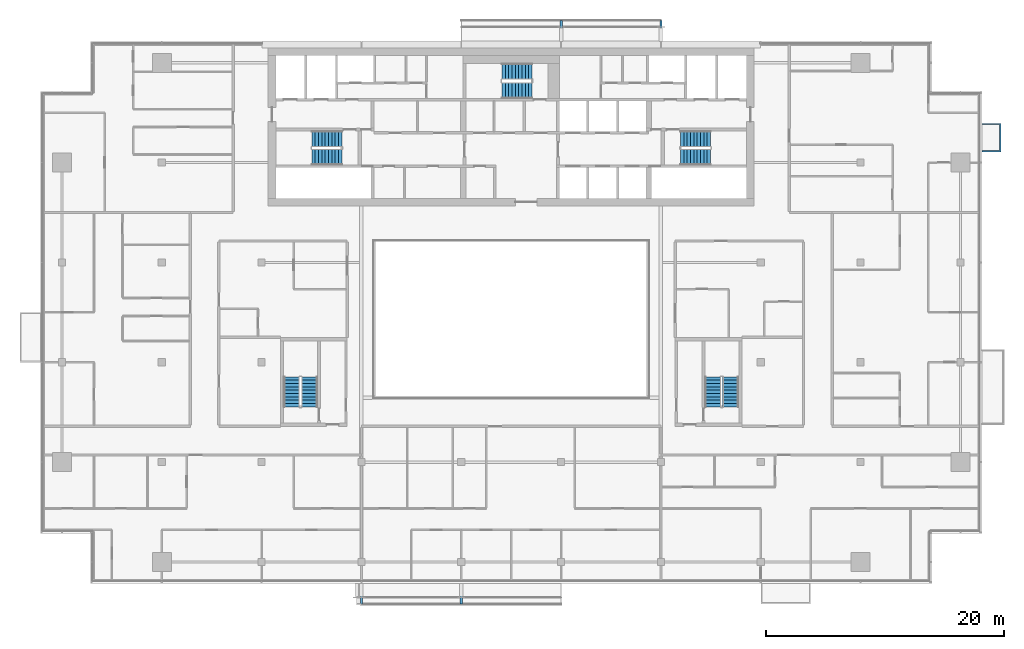
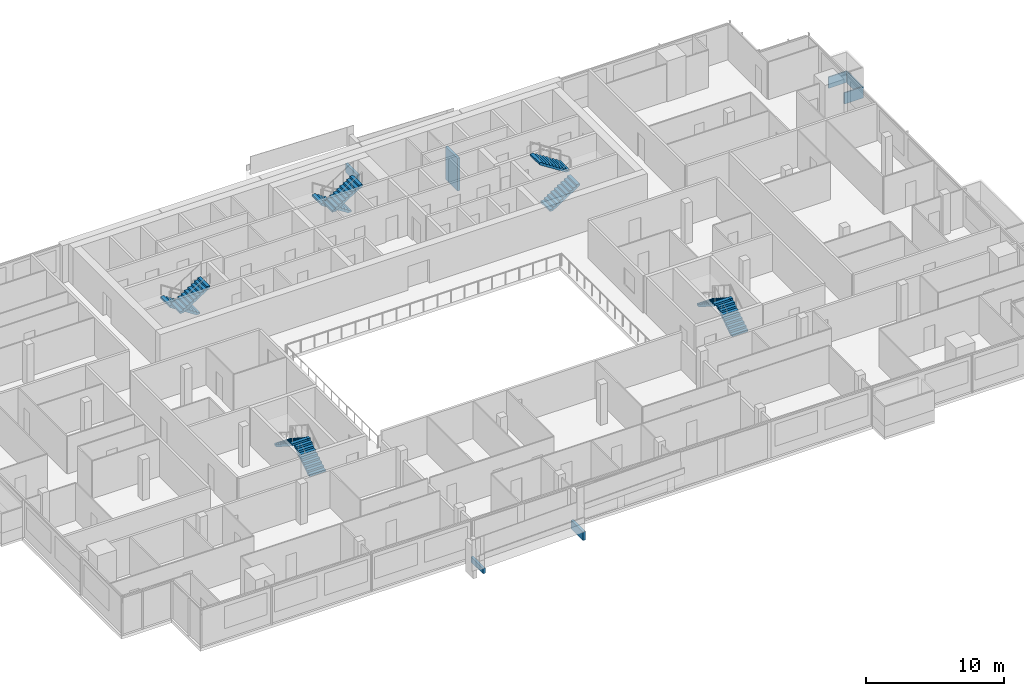
# One storey, part 24 of 26: 10 stair flights, 4 discrete accessories, 1 wall, 5 elements without a shape of their own.
"""IFC4 building model written with IfcOpenShell, lengths in metres."""

from ifc_helpers import new_model, si_unit, direction, frame, origin, origin_2d, place, context, subcontext, project, spatial, polyline, rectangle, outline, extrude, material, layer, layer_set, type_object, element, aggregate, save


model = new_model("IFC4")

# Units and contexts
model_context = context("Model", 3, precision=1e-05, world=origin(), true_north=direction((0.0, 1.0)))
body_context = subcontext(model_context, "Body", "Model", "MODEL_VIEW")
ifc_project = project(units=[si_unit("LENGTHUNIT", "METRE"), si_unit("AREAUNIT", "SQUARE_METRE"), si_unit("VOLUMEUNIT", "CUBIC_METRE"), si_unit("PLANEANGLEUNIT", "RADIAN"), si_unit("MASSUNIT", "GRAM", prefix="KILO")], contexts=[model_context])

# Site, building, storey
site_placement = place(None, origin())
site = spatial("IfcSite", under=ifc_project, at=site_placement, CompositionType="ELEMENT")
building_placement = place(site_placement, origin())
building = spatial("IfcBuilding", under=site, at=building_placement, Name="Saffron Gate Tower", CompositionType="ELEMENT")
storey_placement = place(building_placement, frame((0.0, 0.0, 230.699951171875)))
storey = spatial("IfcBuildingStorey", under=building, at=storey_placement, Name="L56", CompositionType="ELEMENT", Elevation=230.699951171875)

# Wall
ifc_material_1 = material(Name="Rendered insulated panel, white")
ifc_layer = layer(ifc_material_1, 0.10009765625)
ifc_layer_set = layer_set([ifc_layer], Name="WB3 box parapet white")
wall_type = type_object("IfcWallType", Name="WB3 box parapet white", PredefinedType="SOLIDWALL", material=ifc_layer_set)
wall_placement = place(storey_placement, origin())
element("IfcWall", 1, at=wall_placement, inside=storey, type_object=wall_type, Name="WINDOW BOX parapet", PredefinedType="SOLIDWALL", context=body_context, shape_type="SweptSolid", body=[
    extrude(outline(polyline([(127.199951171875, 66.300048828125), (127.199951171875, 66.39990234375), (128.699951171875, 66.39990234375), (128.699951171875, 68.60009765625), (127.199951171875, 68.60009765625), (127.199951171875, 68.699951171875), (128.800048828125, 68.699951171875), (128.800048828125, 66.300048828125), (127.199951171875, 66.300048828125)])), origin(), (0.0, 0.0, 1.0), 1.0),
])

# Stair, stair flights
ifc_material_2 = material(Name="Concrete C40", Category="concrete")
stair_type = type_object("IfcStairType", Name="ST7 Stair 1350 wide, 20 risers of 180", PredefinedType="HALF_TURN_STAIR", material=ifc_material_2)
stair_1_placement = place(storey_placement, origin())
stair_1 = element("IfcStair", 2, at=stair_1_placement, inside=storey, type_object=stair_type, Name="L56 Exit stair A", PredefinedType="HALF_TURN_STAIR")
stair_flight_type = type_object("IfcStairFlightType", Name="SF3 Stair flight 1350 wide, riser 180 going 280", PredefinedType="STRAIGHT", material=ifc_material_2)
stair_flight_1_placement = place(storey_placement, frame((73.35009765625, 67.375, 0.0), z_axis=(0.0, 0.0, 1.0), x_axis=(-1.0, 0.0, 0.0)))
stair_flight_1 = element("IfcStairFlight", 3, at=stair_flight_1_placement, type_object=stair_flight_type, Name="ST-A flight 1", NumberOfRisers=10, NumberOfTreads=9, PredefinedType="STRAIGHT", RiserHeight=0.18, TreadLength=0.28, context=body_context, shape_type="SweptSolid", body=[
    extrude(outline(polyline([(0.0, 0.0), (0.0, 0.179931640625), (0.280029296875, 0.179931640625), (0.280029296875, 0.360107421875), (0.56005859375, 0.360107421875), (0.56005859375, 0.5400390625), (0.840087890625, 0.5400390625), (0.840087890625, 0.719970703125), (1.1201171875, 0.719970703125), (1.1201171875, 0.89990234375), (1.39990234375, 0.89990234375), (1.39990234375, 1.080078125), (1.679931640625, 1.080078125), (1.679931640625, 1.260009765625), (1.9599609375, 1.260009765625), (1.9599609375, 1.43994140625), (2.239990234375, 1.43994140625), (2.239990234375, 1.6201171875), (2.52001953125, 1.6201171875), (2.52001953125, 1.800048828125), (2.52001953125, 1.44189453125), (0.277099609375, 0.0), (0.0, 0.0)])), frame((0.0, 0.675048828125, 0.0), z_axis=(0.0, -1.0, 0.0), x_axis=(1.0, 0.0, 0.0)), (0.0, 0.0, 1.0), 1.35009765625),
])
stair_flight_2_placement = place(storey_placement, frame((70.830078125, 65.875, 1.800048828125), z_axis=(0.0, 0.0, 1.0), x_axis=(1.0, 0.0, 0.0)))
stair_flight_2 = element("IfcStairFlight", 4, at=stair_flight_2_placement, type_object=stair_flight_type, Name="ST-A flight 2", NumberOfRisers=10, NumberOfTreads=9, PredefinedType="STRAIGHT", RiserHeight=0.18, TreadLength=0.28, context=body_context, shape_type="SweptSolid", body=[
    extrude(outline(polyline([(0.0, 0.0), (0.0, 0.179931640625), (0.280029296875, 0.179931640625), (0.280029296875, 0.360107421875), (0.56005859375, 0.360107421875), (0.56005859375, 0.5400390625), (0.840087890625, 0.5400390625), (0.840087890625, 0.719970703125), (1.1201171875, 0.719970703125), (1.1201171875, 0.89990234375), (1.39990234375, 0.89990234375), (1.39990234375, 1.080078125), (1.679931640625, 1.080078125), (1.679931640625, 1.260009765625), (1.9599609375, 1.260009765625), (1.9599609375, 1.43994140625), (2.239990234375, 1.43994140625), (2.239990234375, 1.6201171875), (2.52001953125, 1.6201171875), (2.52001953125, 1.800048828125), (2.52001953125, 1.44189453125), (0.277099609375, 0.0), (0.0, 0.0)])), frame((0.0, 0.675048828125, 0.0), z_axis=(0.0, -1.0, 0.0), x_axis=(1.0, 0.0, 0.0)), (0.0, 0.0, 1.0), 1.35009765625),
])
aggregate(stair_1, [stair_flight_1, stair_flight_2])

stair_2_placement = place(storey_placement, origin())
stair_2 = element("IfcStair", 5, at=stair_2_placement, inside=storey, type_object=stair_type, Name="L56 Exit stair B", PredefinedType="HALF_TURN_STAIR")
stair_flight_3_placement = place(storey_placement, frame((101.85009765625, 65.875, 0.0), z_axis=(0.0, 0.0, 1.0), x_axis=(1.0, 0.0, 0.0)))
stair_flight_3 = element("IfcStairFlight", 6, at=stair_flight_3_placement, type_object=stair_flight_type, Name="ST-B flight 1", NumberOfRisers=10, NumberOfTreads=9, PredefinedType="STRAIGHT", RiserHeight=0.18, TreadLength=0.28, context=body_context, shape_type="SweptSolid", body=[
    extrude(outline(polyline([(0.0, 0.0), (0.0, 0.179931640625), (0.280029296875, 0.179931640625), (0.280029296875, 0.360107421875), (0.56005859375, 0.360107421875), (0.56005859375, 0.5400390625), (0.840087890625, 0.5400390625), (0.840087890625, 0.719970703125), (1.1201171875, 0.719970703125), (1.1201171875, 0.89990234375), (1.39990234375, 0.89990234375), (1.39990234375, 1.080078125), (1.679931640625, 1.080078125), (1.679931640625, 1.260009765625), (1.9599609375, 1.260009765625), (1.9599609375, 1.43994140625), (2.239990234375, 1.43994140625), (2.239990234375, 1.6201171875), (2.52001953125, 1.6201171875), (2.52001953125, 1.800048828125), (2.52001953125, 1.44189453125), (0.277099609375, 0.0), (0.0, 0.0)])), frame((0.0, 0.675048828125, 0.0), z_axis=(0.0, -1.0, 0.0), x_axis=(1.0, 0.0, 0.0)), (0.0, 0.0, 1.0), 1.35009765625),
])
stair_flight_4_placement = place(storey_placement, frame((104.3701171875, 67.375, 1.800048828125), z_axis=(0.0, 0.0, 1.0), x_axis=(-1.0, 0.0, 0.0)))
stair_flight_4 = element("IfcStairFlight", 7, at=stair_flight_4_placement, type_object=stair_flight_type, Name="ST-B flight 2", NumberOfRisers=10, NumberOfTreads=9, PredefinedType="STRAIGHT", RiserHeight=0.18, TreadLength=0.28, context=body_context, shape_type="SweptSolid", body=[
    extrude(outline(polyline([(0.0, 0.0), (0.0, 0.179931640625), (0.280029296875, 0.179931640625), (0.280029296875, 0.360107421875), (0.56005859375, 0.360107421875), (0.56005859375, 0.5400390625), (0.840087890625, 0.5400390625), (0.840087890625, 0.719970703125), (1.1201171875, 0.719970703125), (1.1201171875, 0.89990234375), (1.39990234375, 0.89990234375), (1.39990234375, 1.080078125), (1.679931640625, 1.080078125), (1.679931640625, 1.260009765625), (1.9599609375, 1.260009765625), (1.9599609375, 1.43994140625), (2.239990234375, 1.43994140625), (2.239990234375, 1.6201171875), (2.52001953125, 1.6201171875), (2.52001953125, 1.800048828125), (2.52001953125, 1.44189453125), (0.277099609375, 0.0), (0.0, 0.0)])), frame((0.0, 0.675048828125, 0.0), z_axis=(0.0, -1.0, 0.0), x_axis=(1.0, 0.0, 0.0)), (0.0, 0.0, 1.0), 1.35009765625),
])
aggregate(stair_2, [stair_flight_3, stair_flight_4])

stair_3_placement = place(storey_placement, origin())
stair_3 = element("IfcStair", 8, at=stair_3_placement, inside=storey, type_object=stair_type, Name="L56 Exit stair C", PredefinedType="HALF_TURN_STAIR")
stair_flight_5_placement = place(storey_placement, frame((89.35009765625, 73.074951171875, 0.0), z_axis=(0.0, 0.0, 1.0), x_axis=(-1.0, 0.0, 0.0)))
stair_flight_5 = element("IfcStairFlight", 9, at=stair_flight_5_placement, type_object=stair_flight_type, Name="ST-C flight 1", NumberOfRisers=10, NumberOfTreads=9, PredefinedType="STRAIGHT", RiserHeight=0.18, TreadLength=0.28, context=body_context, shape_type="SweptSolid", body=[
    extrude(outline(polyline([(0.0, 0.0), (0.0, 0.179931640625), (0.280029296875, 0.179931640625), (0.280029296875, 0.360107421875), (0.56005859375, 0.360107421875), (0.56005859375, 0.5400390625), (0.840087890625, 0.5400390625), (0.840087890625, 0.719970703125), (1.1201171875, 0.719970703125), (1.1201171875, 0.89990234375), (1.39990234375, 0.89990234375), (1.39990234375, 1.080078125), (1.679931640625, 1.080078125), (1.679931640625, 1.260009765625), (1.9599609375, 1.260009765625), (1.9599609375, 1.43994140625), (2.239990234375, 1.43994140625), (2.239990234375, 1.6201171875), (2.52001953125, 1.6201171875), (2.52001953125, 1.800048828125), (2.52001953125, 1.44189453125), (0.277099609375, 0.0), (0.0, 0.0)])), frame((0.0, 0.675048828125, 0.0), z_axis=(0.0, -1.0, 0.0), x_axis=(1.0, 0.0, 0.0)), (0.0, 0.0, 1.0), 1.35009765625),
])
stair_flight_6_placement = place(storey_placement, frame((86.830078125, 71.47509765625, 1.800048828125), z_axis=(0.0, 0.0, 1.0), x_axis=(1.0, 0.0, 0.0)))
stair_flight_6 = element("IfcStairFlight", 10, at=stair_flight_6_placement, type_object=stair_flight_type, Name="ST-C flight 2", NumberOfRisers=10, NumberOfTreads=9, PredefinedType="STRAIGHT", RiserHeight=0.18, TreadLength=0.28, context=body_context, shape_type="SweptSolid", body=[
    extrude(outline(polyline([(0.0, 0.0), (0.0, 0.179931640625), (0.280029296875, 0.179931640625), (0.280029296875, 0.360107421875), (0.56005859375, 0.360107421875), (0.56005859375, 0.5400390625), (0.840087890625, 0.5400390625), (0.840087890625, 0.719970703125), (1.1201171875, 0.719970703125), (1.1201171875, 0.89990234375), (1.39990234375, 0.89990234375), (1.39990234375, 1.080078125), (1.679931640625, 1.080078125), (1.679931640625, 1.260009765625), (1.9599609375, 1.260009765625), (1.9599609375, 1.43994140625), (2.239990234375, 1.43994140625), (2.239990234375, 1.6201171875), (2.52001953125, 1.6201171875), (2.52001953125, 1.800048828125), (2.52001953125, 1.44189453125), (0.277099609375, 0.0), (0.0, 0.0)])), frame((0.0, 0.675048828125, 0.0), z_axis=(0.0, -1.0, 0.0), x_axis=(1.0, 0.0, 0.0)), (0.0, 0.0, 1.0), 1.35009765625),
])
aggregate(stair_3, [stair_flight_5, stair_flight_6])

stair_4_placement = place(storey_placement, origin())
stair_4 = element("IfcStair", 11, at=stair_4_placement, inside=storey, type_object=stair_type, Name="L56 Exit stair D", PredefinedType="HALF_TURN_STAIR")
stair_flight_7_placement = place(storey_placement, frame((70.625, 44.85009765625, 0.0), z_axis=(0.0, 0.0, 1.0), x_axis=(0.0, 1.0, 0.0)))
stair_flight_7 = element("IfcStairFlight", 12, at=stair_flight_7_placement, type_object=stair_flight_type, Name="ST-D flight 1", NumberOfRisers=10, NumberOfTreads=9, PredefinedType="STRAIGHT", RiserHeight=0.18, TreadLength=0.28, context=body_context, shape_type="SweptSolid", body=[
    extrude(outline(polyline([(0.0, 0.0), (0.0, 0.179931640625), (0.280029296875, 0.179931640625), (0.280029296875, 0.360107421875), (0.56005859375, 0.360107421875), (0.56005859375, 0.5400390625), (0.840087890625, 0.5400390625), (0.840087890625, 0.719970703125), (1.1201171875, 0.719970703125), (1.1201171875, 0.89990234375), (1.39990234375, 0.89990234375), (1.39990234375, 1.080078125), (1.679931640625, 1.080078125), (1.679931640625, 1.260009765625), (1.9599609375, 1.260009765625), (1.9599609375, 1.43994140625), (2.239990234375, 1.43994140625), (2.239990234375, 1.6201171875), (2.52001953125, 1.6201171875), (2.52001953125, 1.800048828125), (2.52001953125, 1.44189453125), (0.277099609375, 0.0), (0.0, 0.0)])), frame((0.0, 0.675048828125, 0.0), z_axis=(0.0, -1.0, 0.0), x_axis=(1.0, 0.0, 0.0)), (0.0, 0.0, 1.0), 1.35009765625),
])
stair_flight_8_placement = place(storey_placement, frame((69.125, 47.3701171875, 1.800048828125), z_axis=(0.0, 0.0, 1.0), x_axis=(0.0, -1.0, 0.0)))
stair_flight_8 = element("IfcStairFlight", 13, at=stair_flight_8_placement, type_object=stair_flight_type, Name="ST-D flight 2", NumberOfRisers=10, NumberOfTreads=9, PredefinedType="STRAIGHT", RiserHeight=0.18, TreadLength=0.28, context=body_context, shape_type="SweptSolid", body=[
    extrude(outline(polyline([(0.0, 0.0), (0.0, 0.179931640625), (0.280029296875, 0.179931640625), (0.280029296875, 0.360107421875), (0.56005859375, 0.360107421875), (0.56005859375, 0.5400390625), (0.840087890625, 0.5400390625), (0.840087890625, 0.719970703125), (1.1201171875, 0.719970703125), (1.1201171875, 0.89990234375), (1.39990234375, 0.89990234375), (1.39990234375, 1.080078125), (1.679931640625, 1.080078125), (1.679931640625, 1.260009765625), (1.9599609375, 1.260009765625), (1.9599609375, 1.43994140625), (2.239990234375, 1.43994140625), (2.239990234375, 1.6201171875), (2.52001953125, 1.6201171875), (2.52001953125, 1.800048828125), (2.52001953125, 1.44189453125), (0.277099609375, 0.0), (0.0, 0.0)])), frame((0.0, 0.675048828125, 0.0), z_axis=(0.0, -1.0, 0.0), x_axis=(1.0, 0.0, 0.0)), (0.0, 0.0, 1.0), 1.35009765625),
])
aggregate(stair_4, [stair_flight_7, stair_flight_8])

stair_5_placement = place(storey_placement, origin())
stair_5 = element("IfcStair", 14, at=stair_5_placement, inside=storey, type_object=stair_type, Name="L56 Exit stair E", PredefinedType="HALF_TURN_STAIR")
stair_flight_9_placement = place(storey_placement, frame((106.074951171875, 44.85009765625, 0.0), z_axis=(0.0, 0.0, 1.0), x_axis=(0.0, 1.0, 0.0)))
stair_flight_9 = element("IfcStairFlight", 15, at=stair_flight_9_placement, type_object=stair_flight_type, Name="ST-E flight 1", NumberOfRisers=10, NumberOfTreads=9, PredefinedType="STRAIGHT", RiserHeight=0.18, TreadLength=0.28, context=body_context, shape_type="SweptSolid", body=[
    extrude(outline(polyline([(0.0, 0.0), (0.0, 0.179931640625), (0.280029296875, 0.179931640625), (0.280029296875, 0.360107421875), (0.56005859375, 0.360107421875), (0.56005859375, 0.5400390625), (0.840087890625, 0.5400390625), (0.840087890625, 0.719970703125), (1.1201171875, 0.719970703125), (1.1201171875, 0.89990234375), (1.39990234375, 0.89990234375), (1.39990234375, 1.080078125), (1.679931640625, 1.080078125), (1.679931640625, 1.260009765625), (1.9599609375, 1.260009765625), (1.9599609375, 1.43994140625), (2.239990234375, 1.43994140625), (2.239990234375, 1.6201171875), (2.52001953125, 1.6201171875), (2.52001953125, 1.800048828125), (2.52001953125, 1.44189453125), (0.277099609375, 0.0), (0.0, 0.0)])), frame((0.0, 0.675048828125, 0.0), z_axis=(0.0, -1.0, 0.0), x_axis=(1.0, 0.0, 0.0)), (0.0, 0.0, 1.0), 1.35009765625),
])
stair_flight_10_placement = place(storey_placement, frame((104.574951171875, 47.3701171875, 1.800048828125), z_axis=(0.0, 0.0, 1.0), x_axis=(0.0, -1.0, 0.0)))
stair_flight_10 = element("IfcStairFlight", 16, at=stair_flight_10_placement, type_object=stair_flight_type, Name="ST-E flight 2", NumberOfRisers=10, NumberOfTreads=9, PredefinedType="STRAIGHT", RiserHeight=0.18, TreadLength=0.28, context=body_context, shape_type="SweptSolid", body=[
    extrude(outline(polyline([(0.0, 0.0), (0.0, 0.179931640625), (0.280029296875, 0.179931640625), (0.280029296875, 0.360107421875), (0.56005859375, 0.360107421875), (0.56005859375, 0.5400390625), (0.840087890625, 0.5400390625), (0.840087890625, 0.719970703125), (1.1201171875, 0.719970703125), (1.1201171875, 0.89990234375), (1.39990234375, 0.89990234375), (1.39990234375, 1.080078125), (1.679931640625, 1.080078125), (1.679931640625, 1.260009765625), (1.9599609375, 1.260009765625), (1.9599609375, 1.43994140625), (2.239990234375, 1.43994140625), (2.239990234375, 1.6201171875), (2.52001953125, 1.6201171875), (2.52001953125, 1.800048828125), (2.52001953125, 1.44189453125), (0.277099609375, 0.0), (0.0, 0.0)])), frame((0.0, 0.675048828125, 0.0), z_axis=(0.0, -1.0, 0.0), x_axis=(1.0, 0.0, 0.0)), (0.0, 0.0, 1.0), 1.35009765625),
])
aggregate(stair_5, [stair_flight_9, stair_flight_10])

# Discrete accessories
discrete_accessory_1_placement = place(storey_placement, frame((100.199951171875, 76.47509765625, -3.8798828125), z_axis=(0.0, 0.0, 1.0), x_axis=(-1.0, 0.0, 0.0)))
element("IfcDiscreteAccessory", 17, at=discrete_accessory_1_placement, inside=storey, Name="LEDGE rib", PredefinedType="BRACKET", context=body_context, shape_type="SweptSolid", body=[
    extrude(rectangle(XDim=0.199951171875, YDim=1.75, at=origin_2d()), origin(), (0.0, 0.0, 1.0), 2.923583984375),
])
discrete_accessory_2_placement = place(storey_placement, frame((91.800048828125, 76.47509765625, -0.27978515625), z_axis=(0.0, 0.0, 1.0), x_axis=(-1.0, 0.0, 0.0)))
element("IfcDiscreteAccessory", 18, at=discrete_accessory_2_placement, inside=storey, Name="LEDGE rib", PredefinedType="BRACKET", context=body_context, shape_type="SweptSolid", body=[
    extrude(rectangle(XDim=0.199951171875, YDim=1.75, at=origin_2d()), origin(), (0.0, 0.0, 1.0), 0.765869140625),
])
discrete_accessory_3_placement = place(storey_placement, frame((75.0, 29.125, -0.280029296875), z_axis=(0.0, 0.0, 1.0), x_axis=(1.0, 0.0, 0.0)))
element("IfcDiscreteAccessory", 19, at=discrete_accessory_3_placement, inside=storey, Name="LEDGE rib", PredefinedType="BRACKET", context=body_context, shape_type="SweptSolid", body=[
    extrude(rectangle(XDim=0.199951171875, YDim=1.75, at=origin_2d()), origin(), (0.0, 0.0, 1.0), 0.466796875),
])
discrete_accessory_4_placement = place(storey_placement, frame((83.39990234375, 29.125, -0.27978515625), z_axis=(0.0, 0.0, 1.0), x_axis=(1.0, 0.0, 0.0)))
element("IfcDiscreteAccessory", 20, at=discrete_accessory_4_placement, inside=storey, Name="LEDGE rib", PredefinedType="BRACKET", context=body_context, shape_type="SweptSolid", body=[
    extrude(rectangle(XDim=0.199951171875, YDim=1.75, at=origin_2d()), origin(), (0.0, 0.0, 1.0), 0.765869140625),
])

save(model, "model.ifc")
